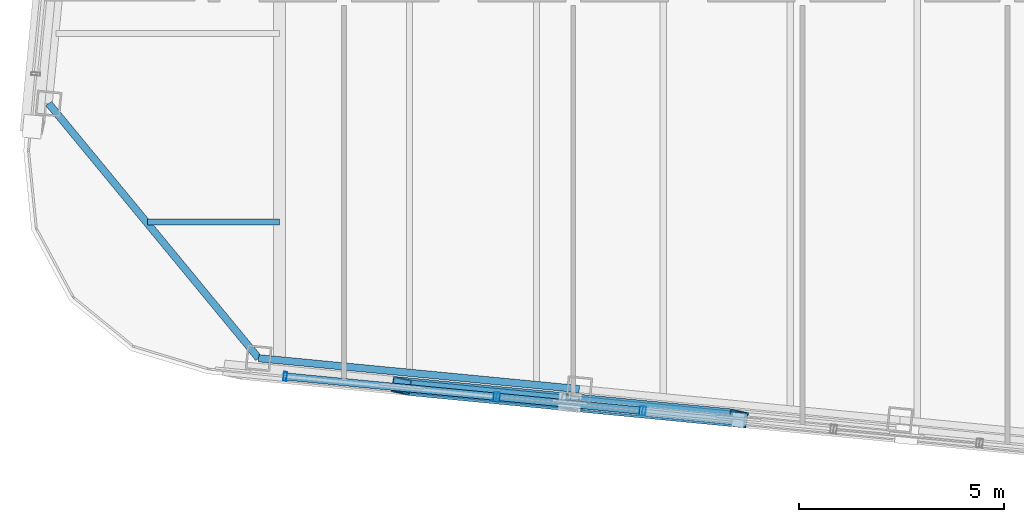
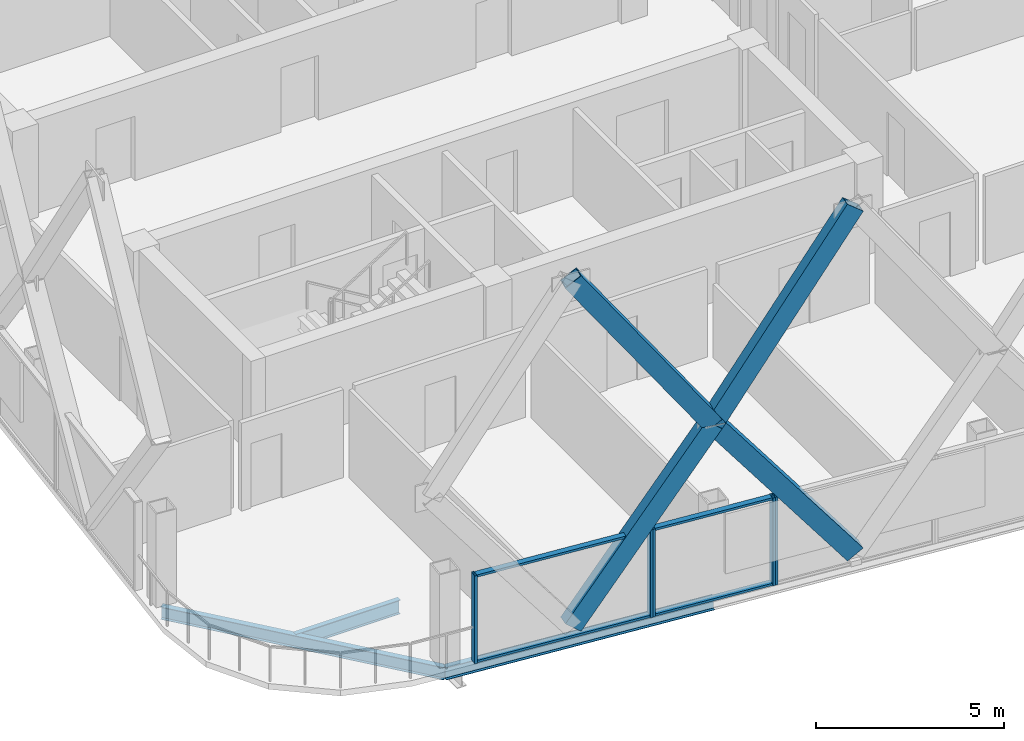
# One storey, part 2 of 25: 13 members, 3 beams, 3 elements without a shape of their own.
"""IFC4 building model written with IfcOpenShell, lengths in metres."""

from ifc_helpers import new_model, si_unit, direction, frame, origin, origin_2d, place, context, subcontext, project, spatial, hollow_rectangle, i_section, extrude, material, layer, layer_set, material_profile, profile_set, type_object, element, aggregate, save


model = new_model("IFC4")

# Units and contexts
model_context = context("Model", 3, precision=1e-05, world=origin(), true_north=direction((0.0, 1.0)))
body_context = subcontext(model_context, "Body", "Model", "MODEL_VIEW")
ifc_project = project(units=[si_unit("LENGTHUNIT", "METRE"), si_unit("AREAUNIT", "SQUARE_METRE"), si_unit("VOLUMEUNIT", "CUBIC_METRE"), si_unit("PLANEANGLEUNIT", "RADIAN"), si_unit("MASSUNIT", "GRAM", prefix="KILO")], contexts=[model_context])

# Site, building, storey
site_placement = place(None, origin())
site = spatial("IfcSite", under=ifc_project, at=site_placement, CompositionType="ELEMENT")
building_placement = place(site_placement, origin())
building = spatial("IfcBuilding", under=site, at=building_placement, Name="Qhalaya Broadcast Tower", CompositionType="ELEMENT")
storey_placement = place(building_placement, frame((0.0, 0.0, 255.050048828125)))
storey = spatial("IfcBuildingStorey", under=building, at=storey_placement, Name="L75", CompositionType="ELEMENT", Elevation=255.050048828125)

# Beam
ifc_material_1 = material(Name="Structural Steel ASTM A992 Grade 50", Category="steel")
ifc_material_profile_1 = material_profile(ifc_material_1, i_section(OverallWidth=0.154052734375, OverallDepth=0.458984375, WebThickness=0.009033203125, FlangeThickness=0.015380859375, at=origin_2d()), Name="W18X46")
ifc_profile_set_1 = profile_set([ifc_material_profile_1], Name="Structural Steel ASTM A992 Grade 50")
beam_type_1 = type_object("IfcBeamType", Name="Composite Floor Joist J04", PredefinedType="JOIST", material=ifc_profile_set_1)
beam_1_placement = place(storey_placement, frame((-12.600830078125, -16.5, -0.41943359375), z_axis=(1.0, 0.0, 0.0), x_axis=(0.0, 1.0, 0.0)))
element("IfcBeam", 1, at=beam_1_placement, inside=storey, type_object=beam_type_1, Name="L75 J04 L75-JWE1W-1", PredefinedType="JOIST", context=body_context, shape_type="SweptSolid", body=[
    extrude(i_section(OverallWidth=0.154052734375, OverallDepth=0.458984375, WebThickness=0.009033203125, FlangeThickness=0.015380859375, at=origin_2d()), origin(), (0.0, 0.0, 1.0), 3.225830078125),
])

# Members
ifc_material_2 = material(Name="Structural Steel ASTM A572 Grade 50", Category="steel")
ifc_material_profile_2 = material_profile(ifc_material_2, hollow_rectangle(XDim=0.3798828125, YDim=0.550048828125, WallThickness=0.02490234375, at=origin_2d()), Name="BOX 380x550x25")
ifc_profile_set_2 = profile_set([ifc_material_profile_2], Name="Structural Steel ASTM A572 Grade 50")
member_type_1 = type_object("IfcMemberType", Name="Exoskeleton Diamond Diagonal Upper EX4", PredefinedType="BRACE", material=ifc_profile_set_2)
member_1_placement = place(storey_placement, frame((-6.3984375, -20.505615234375, 0.35986328125), z_axis=(0.605364209609, -0.058266125563, 0.793813096602), x_axis=(0.171099496091, 0.983527971346, -0.058289724799)))
element("IfcMember", 2, at=member_1_placement, inside=storey, type_object=member_type_1, Name="B6 Exoskeleton Diamond Brace S1-D2", PredefinedType="BRACE", context=body_context, shape_type="SweptSolid", body=[
    extrude(hollow_rectangle(XDim=0.3798828125, YDim=0.550048828125, WallThickness=0.02490234375, at=origin_2d()), origin(), (0.0, 0.0, 1.0), 6.79638671875),
])
member_2_placement = place(storey_placement, frame((-2.2841796875, -20.901611328125, 5.7548828125), z_axis=(-0.572754517502, 0.055127452373, 0.817871155303), x_axis=(-0.17339475171, -0.983307053674, -0.055149780368)))
element("IfcMember", 3, at=member_2_placement, inside=storey, type_object=member_type_1, Name="B6 Exoskeleton Diamond Brace S1-D4", PredefinedType="BRACE", context=body_context, shape_type="SweptSolid", body=[
    extrude(hollow_rectangle(XDim=0.3798828125, YDim=0.550048828125, WallThickness=0.02490234375, at=origin_2d()), origin(), (0.0, 0.0, 1.0), 7.183349609375),
])
member_3_placement = place(storey_placement, frame((1.830078125, -21.2978515625, 0.35986328125), z_axis=(-0.605362942159, 0.058301925892, 0.793811434597), x_axis=(-0.171157163881, -0.983517925101, -0.058289932722)))
element("IfcMember", 4, at=member_3_placement, inside=storey, type_object=member_type_1, Name="B6 Exoskeleton Diamond Brace S2-D1", PredefinedType="BRACE", context=body_context, shape_type="SweptSolid", body=[
    extrude(hollow_rectangle(XDim=0.3798828125, YDim=0.550048828125, WallThickness=0.02490234375, at=origin_2d()), origin(), (0.0, 0.0, 1.0), 6.79638671875),
])
member_4_placement = place(storey_placement, frame((-2.2841796875, -20.901611328125, 5.7548828125), z_axis=(0.572753444041, -0.055161336321, 0.817869622443), x_axis=(0.173452418829, 0.983296871293, -0.055149989195)))
element("IfcMember", 5, at=member_4_placement, inside=storey, type_object=member_type_1, Name="B6 Exoskeleton Diamond Brace S2-D3", PredefinedType="BRACE", context=body_context, shape_type="SweptSolid", body=[
    extrude(hollow_rectangle(XDim=0.3798828125, YDim=0.550048828125, WallThickness=0.02490234375, at=origin_2d()), origin(), (0.0, 0.0, 1.0), 7.183349609375),
])

# Curtain wall, members
ifc_material_3 = material(Name="Fired Architectural Terracotta", Category="masonry")
ifc_layer_1 = layer(ifc_material_3, 0.219970703125, Name="Fired Architectural Terracotta")
ifc_layer_set_1 = layer_set([ifc_layer_1], Name="Fired Architectural Terracotta")
curtain_wall_type_1 = type_object("IfcCurtainWallType", Name="Block-Cap Unitised Terracotta Spandrel Wall CW-07", PredefinedType="NOTDEFINED", material=ifc_layer_set_1)
curtain_wall_1_placement = place(storey_placement, origin())
curtain_wall_1 = element("IfcCurtainWall", 6, at=curtain_wall_1_placement, inside=storey, type_object=curtain_wall_type_1, Name="L75 Unitised Curtain Wall L75-CW-S1", PredefinedType="NOTDEFINED")
ifc_material_4 = material(Name="Anodised Aluminium 6063-T6", Category="aluminium")
ifc_material_profile_3 = material_profile(ifc_material_4, hollow_rectangle(XDim=0.074951171875, YDim=0.219970703125, WallThickness=0.00390625, at=origin_2d()), Name="ALU-MUL 75x220x4")
ifc_profile_set_3 = profile_set([ifc_material_profile_3], Name="Anodised Aluminium 6063-T6")
member_type_2 = type_object("IfcMemberType", Name="Unitised Curtain-Wall Mullion M01", PredefinedType="MULLION", material=ifc_profile_set_3)
member_5_placement = place(storey_placement, frame((-9.235107421875, -20.272705078125, 0.0), z_axis=(0.0, 0.0, 1.0), x_axis=(0.995395942778, -0.095848406879, 0.0)))
member_5 = element("IfcMember", 7, at=member_5_placement, type_object=member_type_2, Name="CW-07 mullion 1", PredefinedType="MULLION", context=body_context, shape_type="SweptSolid", body=[
    extrude(hollow_rectangle(XDim=0.074951171875, YDim=0.219970703125, WallThickness=0.00390625, at=origin_2d()), origin(), (0.0, 0.0, 1.0), 2.85986328125),
])
member_6_placement = place(storey_placement, frame((-4.10791015625, -20.766357421875, 0.0), z_axis=(0.0, 0.0, 1.0), x_axis=(0.995395942778, -0.095848406879, 0.0)))
member_6 = element("IfcMember", 8, at=member_6_placement, type_object=member_type_2, Name="CW-07 mullion 2", PredefinedType="MULLION", context=body_context, shape_type="SweptSolid", body=[
    extrude(hollow_rectangle(XDim=0.074951171875, YDim=0.219970703125, WallThickness=0.00390625, at=origin_2d()), origin(), (0.0, 0.0, 1.0), 2.85986328125),
])

ifc_material_5 = material(Name="Solar-Control Low-E Triple Glazing", Category="glass")
ifc_layer_2 = layer(ifc_material_5, 0.219970703125, Name="Solar-Control Low-E Triple Glazing")
ifc_layer_set_2 = layer_set([ifc_layer_2], Name="Solar-Control Low-E Triple Glazing")
curtain_wall_type_2 = type_object("IfcCurtainWallType", Name="High-Altitude Upper-Shaft Triple Low-E Curtain Wall CW-04", PredefinedType="NOTDEFINED", material=ifc_layer_set_2)
curtain_wall_2_placement = place(storey_placement, origin())
curtain_wall_2 = element("IfcCurtainWall", 9, at=curtain_wall_2_placement, inside=storey, type_object=curtain_wall_type_2, Name="L75 Unitised Curtain Wall L75-CW-S2", PredefinedType="NOTDEFINED")
member_7_placement = place(storey_placement, frame((-4.033203125, -20.7734375, 0.0), z_axis=(0.0, 0.0, 1.0), x_axis=(0.995397049282, -0.095836915023, 0.0)))
member_7 = element("IfcMember", 10, at=member_7_placement, type_object=member_type_2, Name="CW-04 mullion 1", PredefinedType="MULLION", context=body_context, shape_type="SweptSolid", body=[
    extrude(hollow_rectangle(XDim=0.074951171875, YDim=0.219970703125, WallThickness=0.00390625, at=origin_2d()), origin(), (0.0, 0.0, 1.0), 2.85986328125),
])
member_8_placement = place(storey_placement, frame((-0.543212890625, -21.109619140625, 0.0), z_axis=(0.0, 0.0, 1.0), x_axis=(0.995397049282, -0.095836915023, 0.0)))
member_8 = element("IfcMember", 11, at=member_8_placement, type_object=member_type_2, Name="CW-04 mullion 2", PredefinedType="MULLION", context=body_context, shape_type="SweptSolid", body=[
    extrude(hollow_rectangle(XDim=0.074951171875, YDim=0.219970703125, WallThickness=0.00390625, at=origin_2d()), origin(), (0.0, 0.0, 1.0), 2.85986328125),
])

# Curtain wall, member
curtain_wall_3_placement = place(storey_placement, origin())
curtain_wall_3 = element("IfcCurtainWall", 12, at=curtain_wall_3_placement, inside=storey, type_object=curtain_wall_type_1, Name="L75 Unitised Curtain Wall L75-CW-S3", PredefinedType="NOTDEFINED")
member_9_placement = place(storey_placement, frame((-0.468505859375, -21.11669921875, 0.0), z_axis=(0.0, 0.0, 1.0), x_axis=(0.995394786046, -0.095860418903, 0.0)))
member_9 = element("IfcMember", 13, at=member_9_placement, type_object=member_type_2, Name="CW-07 mullion 1", PredefinedType="MULLION", context=body_context, shape_type="SweptSolid", body=[
    extrude(hollow_rectangle(XDim=0.074951171875, YDim=0.219970703125, WallThickness=0.00390625, at=origin_2d()), origin(), (0.0, 0.0, 1.0), 2.85986328125),
])
aggregate(curtain_wall_3, [member_9])

# Member
ifc_material_profile_4 = material_profile(ifc_material_4, hollow_rectangle(XDim=0.074951171875, YDim=0.179931640625, WallThickness=0.00390625, at=origin_2d()), Name="ALU-TRN 75x180x4")
ifc_profile_set_4 = profile_set([ifc_material_profile_4], Name="Anodised Aluminium 6063-T6")
member_type_3 = type_object("IfcMemberType", Name="Unitised Curtain-Wall Transom T01", PredefinedType="USERDEFINED", material=ifc_profile_set_4)
member_10_placement = place(storey_placement, frame((-9.19775390625, -20.276123046875, 0.037353515625), z_axis=(0.995394830127, -0.095859961171, 0.0), x_axis=(0.0, 0.0, 1.0)))
member_10 = element("IfcMember", 14, at=member_10_placement, type_object=member_type_3, Name="CW-07 transom 1.1", ObjectType="TRANSOM", PredefinedType="USERDEFINED", context=body_context, shape_type="SweptSolid", body=[
    extrude(hollow_rectangle(XDim=0.074951171875, YDim=0.179931640625, WallThickness=0.00390625, at=origin_2d()), origin(), (0.0, 0.0, 1.0), 5.075927734375),
])

member_11_placement = place(storey_placement, frame((-9.19775390625, -20.276123046875, 2.822509765625), z_axis=(0.995394830127, -0.095859961171, 0.0), x_axis=(0.0, 0.0, 1.0)))
member_11 = element("IfcMember", 15, at=member_11_placement, type_object=member_type_3, Name="CW-07 transom 1.2", ObjectType="TRANSOM", PredefinedType="USERDEFINED", context=body_context, shape_type="SweptSolid", body=[
    extrude(hollow_rectangle(XDim=0.074951171875, YDim=0.179931640625, WallThickness=0.00390625, at=origin_2d()), origin(), (0.0, 0.0, 1.0), 5.075927734375),
])

aggregate(curtain_wall_1, [member_5, member_6, member_10, member_11])

member_12_placement = place(storey_placement, frame((-3.995849609375, -20.777099609375, 0.037353515625), z_axis=(0.995396113477, -0.095846634131, 0.0), x_axis=(0.0, 0.0, 1.0)))
member_12 = element("IfcMember", 16, at=member_12_placement, type_object=member_type_3, Name="CW-04 transom 1.1", ObjectType="TRANSOM", PredefinedType="USERDEFINED", context=body_context, shape_type="SweptSolid", body=[
    extrude(hollow_rectangle(XDim=0.074951171875, YDim=0.179931640625, WallThickness=0.00390625, at=origin_2d()), origin(), (0.0, 0.0, 1.0), 3.43115234375),
])

member_13_placement = place(storey_placement, frame((-3.995849609375, -20.777099609375, 2.822509765625), z_axis=(0.995396113477, -0.095846634131, 0.0), x_axis=(0.0, 0.0, 1.0)))
member_13 = element("IfcMember", 17, at=member_13_placement, type_object=member_type_3, Name="CW-04 transom 1.2", ObjectType="TRANSOM", PredefinedType="USERDEFINED", context=body_context, shape_type="SweptSolid", body=[
    extrude(hollow_rectangle(XDim=0.074951171875, YDim=0.179931640625, WallThickness=0.00390625, at=origin_2d()), origin(), (0.0, 0.0, 1.0), 3.43115234375),
])

aggregate(curtain_wall_2, [member_7, member_8, member_12, member_13])

# Beams
ifc_material_profile_5 = material_profile(ifc_material_1, i_section(OverallWidth=0.177978515625, OverallDepth=0.406005859375, WebThickness=0.0078125, FlangeThickness=0.0126953125, at=origin_2d()), Name="W16X40")
ifc_profile_set_5 = profile_set([ifc_material_profile_5], Name="Structural Steel ASTM A992 Grade 50")
beam_type_2 = type_object("IfcBeamType", Name="Upper Perimeter Spandrel Beam SP2", PredefinedType="SPANDREL", material=ifc_profile_set_5)
beam_2_placement = place(storey_placement, frame((-9.883056640625, -19.82861328125, -0.39306640625), z_axis=(0.995397308407, -0.095834223619, 0.0), x_axis=(0.095834223619, 0.995397308407, 0.0)))
element("IfcBeam", 18, at=beam_2_placement, inside=storey, type_object=beam_type_2, Name="L75 SP2 L75-SPR-01", PredefinedType="SPANDREL", context=body_context, shape_type="SweptSolid", body=[
    extrude(i_section(OverallWidth=0.177978515625, OverallDepth=0.406005859375, WebThickness=0.0078125, FlangeThickness=0.0126953125, at=origin_2d()), origin(), (0.0, 0.0, 1.0), 7.86669921875),
])
beam_3_placement = place(storey_placement, frame((-15.010498046875, -13.6083984375, -0.39306640625), z_axis=(0.636070241972, -0.771631160126, 0.0), x_axis=(0.771631160126, 0.636070241972, 0.0)))
element("IfcBeam", 19, at=beam_3_placement, inside=storey, type_object=beam_type_2, Name="L75 SP2 L75-SPR-16", PredefinedType="SPANDREL", context=body_context, shape_type="SweptSolid", body=[
    extrude(i_section(OverallWidth=0.177978515625, OverallDepth=0.406005859375, WebThickness=0.0078125, FlangeThickness=0.0126953125, at=origin_2d()), origin(), (0.0, 0.0, 1.0), 8.06103515625),
])

save(model, "model.ifc")
